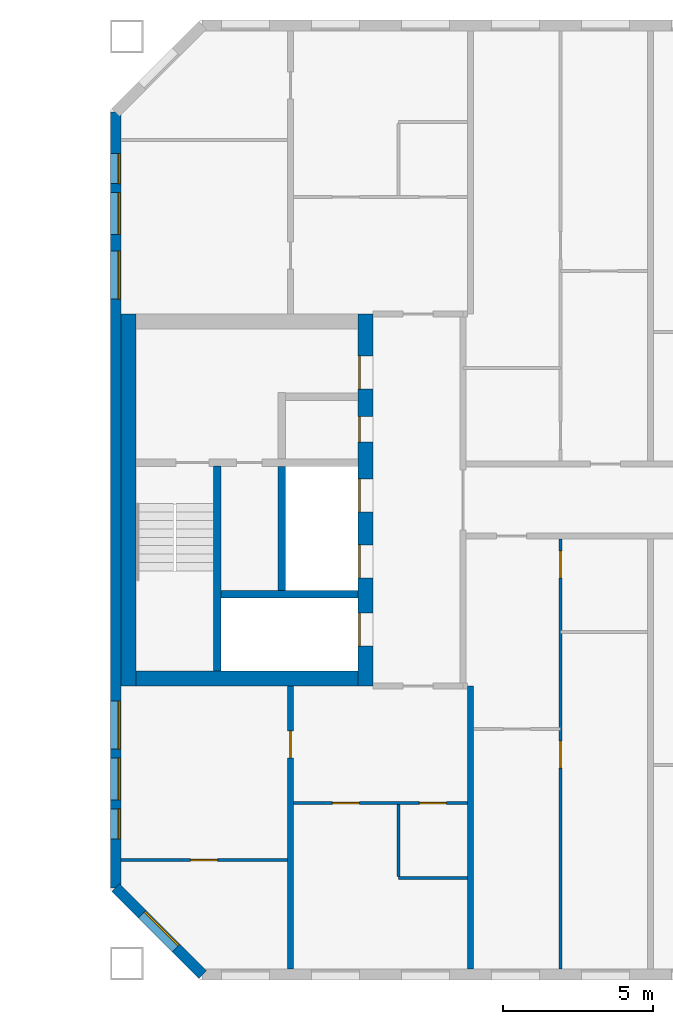
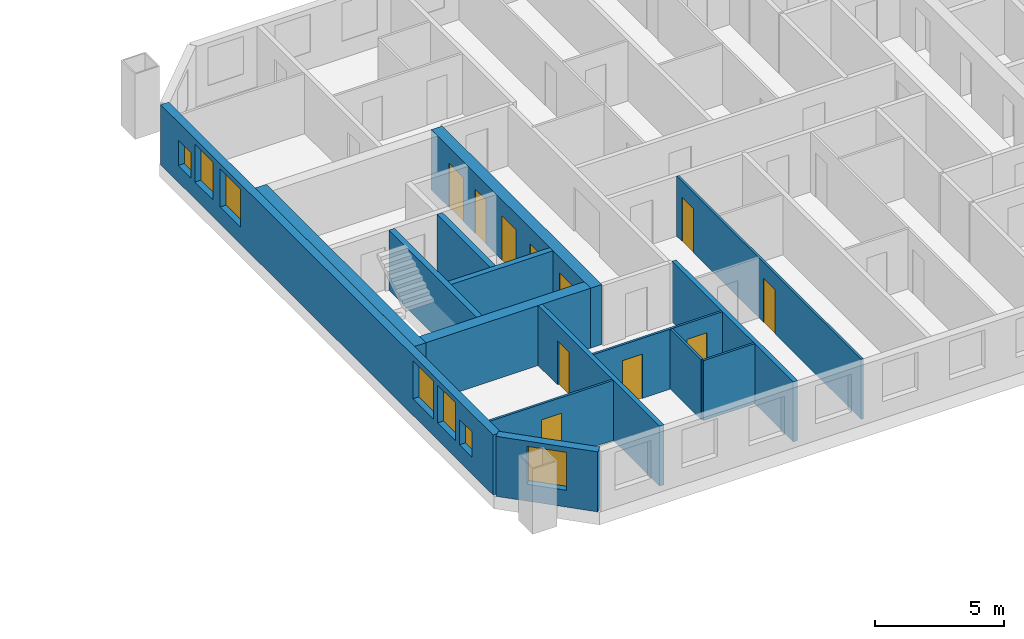
# One storey, part 8 of 15: 15 walls, 11 doors, 7 windows, 18 openings.
"""IFC4 building model written with IfcOpenShell, lengths in metres."""

from ifc_helpers import new_model, si_unit, direction, frame, frame_2d, origin, place, context, subcontext, project, spatial, rectangle, extrude, material, layer, layer_set, type_object, element, fill, save


model = new_model("IFC4")

# Units and contexts
model_context = context("Model", 3, precision=1e-05, world=origin(), true_north=direction((0.0, 1.0)))
body_context = subcontext(model_context, "Body", "Model", "MODEL_VIEW")
ifc_project = project(units=[si_unit("LENGTHUNIT", "METRE"), si_unit("AREAUNIT", "SQUARE_METRE"), si_unit("VOLUMEUNIT", "CUBIC_METRE"), si_unit("PLANEANGLEUNIT", "RADIAN"), si_unit("MASSUNIT", "GRAM", prefix="KILO")], contexts=[model_context])

# Site, building, storey
site_placement = place(None, origin())
site = spatial("IfcSite", under=ifc_project, at=site_placement, CompositionType="ELEMENT")
building_placement = place(site_placement, origin())
building = spatial("IfcBuilding", under=site, at=building_placement, Name="Tuart Gate Housing", CompositionType="ELEMENT")
storey_placement = place(building_placement, frame((0.0, 0.0, 148.5)))
storey = spatial("IfcBuildingStorey", under=building, at=storey_placement, Name="L41", CompositionType="ELEMENT", Elevation=148.5)

# Wall, opening, window
ifc_material_1 = material(Name="Brick", Category="masonry")
ifc_layer_1 = layer(ifc_material_1, 0.360107421875)
ifc_layer_set_1 = layer_set([ifc_layer_1], Name="Brick pier and spandrel wall 360")
wall_type_1 = type_object("IfcWallType", Name="Brick pier and spandrel wall 360", PredefinedType="STANDARD", material=ifc_layer_set_1)
wall_1_placement = place(storey_placement, frame((131.179931640625, 57.07470703125, 0.0), z_axis=(0.0, 0.0, 1.0), x_axis=(0.707106781187, -0.707106781187, 0.0)))
wall_1 = element("IfcWall", 1, at=wall_1_placement, inside=storey, type_object=wall_type_1, Name="External wall B-SW L41", PredefinedType="STANDARD", context=body_context, shape_type="SweptSolid", body=[
    extrude(rectangle(XDim=4.09375, YDim=0.360107421875, at=frame_2d((2.046875, 0.0))), origin(), (0.0, 0.0, 1.0), 2.85009765625),
])
opening_1_placement = place(wall_1_placement, frame((1.2470703125, 0.0, 0.800048828125)))
opening_1 = element("IfcOpeningElement", 2, at=opening_1_placement, cuts=wall_1, Name="Opening W1", PredefinedType="OPENING", context=body_context, shape_type="SweptSolid", body=[
    extrude(rectangle(XDim=1.60009765625, YDim=1.800048828125, at=frame_2d((0.800048828125, 0.89990234375))), frame((0.0, 0.18994140625, 0.0), z_axis=(0.0, -1.0, 0.0), x_axis=(1.0, 0.0, 0.0)), (0.0, 0.0, 1.0), 0.380126953125),
])
ifc_material_2 = material(Name="Aluminium frame with clear glass", Category="aluminium")
window_type_1 = type_object("IfcWindowType", Name="Punched window 1600 x 1800", PartitioningType="SINGLE_PANEL", PredefinedType="WINDOW", material=ifc_material_2)
window_1_placement = place(opening_1_placement, origin())
window_1 = element("IfcWindow", 3, at=window_1_placement, inside=storey, type_object=window_type_1, Name="Window W1", OverallHeight=1.800048828125, OverallWidth=1.60009765625, PartitioningType="SINGLE_PANEL", PredefinedType="WINDOW", context=body_context, shape_type="SweptSolid", body=[
    extrude(rectangle(XDim=1.60009765625, YDim=1.800048828125, at=frame_2d((0.800048828125, 0.89990234375))), frame((0.0, 0.150146484375, 0.0), z_axis=(0.0, -1.0, 0.0), x_axis=(1.0, 0.0, 0.0)), (0.0, 0.0, 1.0), 0.06005859375),
])
fill(opening_1, window_1)

# Wall, openings, windows
wall_2_placement = place(storey_placement, frame((131.179931640625, 82.92529296875, 0.0), z_axis=(0.0, 0.0, 1.0), x_axis=(0.0, -1.0, 0.0)))
wall_2 = element("IfcWall", 4, at=wall_2_placement, inside=storey, type_object=wall_type_1, Name="External wall B-W L41", PredefinedType="STANDARD", context=body_context, shape_type="SweptSolid", body=[
    extrude(rectangle(XDim=25.850830078125, YDim=0.360107421875, at=frame_2d((12.92529296875, 0.0))), origin(), (0.0, 0.0, 1.0), 2.85009765625),
])
opening_2_placement = place(wall_2_placement, frame((1.37548828125, 0.0, 0.800048828125)))
opening_2 = element("IfcOpeningElement", 5, at=opening_2_placement, cuts=wall_2, Name="Opening W1O", PredefinedType="OPENING", context=body_context, shape_type="SweptSolid", body=[
    extrude(rectangle(XDim=1.0, YDim=1.199951171875, at=frame_2d((0.5, 0.60009765625))), frame((0.0, 0.18994140625, 0.0), z_axis=(0.0, -1.0, 0.0), x_axis=(1.0, 0.0, 0.0)), (0.0, 0.0, 1.0), 0.380126953125),
])
opening_3_placement = place(wall_2_placement, frame((4.62548828125, 0.0, 0.800048828125)))
opening_3 = element("IfcOpeningElement", 6, at=opening_3_placement, cuts=wall_2, Name="Opening W1", PredefinedType="OPENING", context=body_context, shape_type="SweptSolid", body=[
    extrude(rectangle(XDim=1.60009765625, YDim=1.800048828125, at=frame_2d((0.800048828125, 0.89990234375))), frame((0.0, 0.18994140625, 0.0), z_axis=(0.0, -1.0, 0.0), x_axis=(1.0, 0.0, 0.0)), (0.0, 0.0, 1.0), 0.380126953125),
])
opening_4_placement = place(wall_2_placement, frame((19.62548828125, 0.0, 0.800048828125)))
opening_4 = element("IfcOpeningElement", 7, at=opening_4_placement, cuts=wall_2, Name="Opening W1", PredefinedType="OPENING", context=body_context, shape_type="SweptSolid", body=[
    extrude(rectangle(XDim=1.60009765625, YDim=1.800048828125, at=frame_2d((0.800048828125, 0.89990234375))), frame((0.0, 0.18994140625, 0.0), z_axis=(0.0, -1.0, 0.0), x_axis=(1.0, 0.0, 0.0)), (0.0, 0.0, 1.0), 0.380126953125),
])
opening_5_placement = place(wall_2_placement, frame((21.525390625, 0.0, 0.800048828125)))
opening_5 = element("IfcOpeningElement", 8, at=opening_5_placement, cuts=wall_2, Name="Opening W1A", PredefinedType="OPENING", context=body_context, shape_type="SweptSolid", body=[
    extrude(rectangle(XDim=1.39990234375, YDim=1.800048828125, at=frame_2d((0.699951171875, 0.89990234375))), frame((0.0, 0.18994140625, 0.0), z_axis=(0.0, -1.0, 0.0), x_axis=(1.0, 0.0, 0.0)), (0.0, 0.0, 1.0), 0.380126953125),
])
opening_6_placement = place(wall_2_placement, frame((2.67529296875, 0.0, 0.800048828125)))
opening_6 = element("IfcOpeningElement", 9, at=opening_6_placement, cuts=wall_2, Name="Opening W1A", PredefinedType="OPENING", context=body_context, shape_type="SweptSolid", body=[
    extrude(rectangle(XDim=1.39990234375, YDim=1.800048828125, at=frame_2d((0.699951171875, 0.89990234375))), frame((0.0, 0.18994140625, 0.0), z_axis=(0.0, -1.0, 0.0), x_axis=(1.0, 0.0, 0.0)), (0.0, 0.0, 1.0), 0.380126953125),
])
opening_7_placement = place(wall_2_placement, frame((23.225341796875, 0.0, 0.800048828125)))
opening_7 = element("IfcOpeningElement", 10, at=opening_7_placement, cuts=wall_2, Name="Opening W1O", PredefinedType="OPENING", context=body_context, shape_type="SweptSolid", body=[
    extrude(rectangle(XDim=1.0, YDim=1.199951171875, at=frame_2d((0.5, 0.60009765625))), frame((0.0, 0.18994140625, 0.0), z_axis=(0.0, -1.0, 0.0), x_axis=(1.0, 0.0, 0.0)), (0.0, 0.0, 1.0), 0.380126953125),
])
ifc_material_3 = material(Name="Aluminium frame with clear glass", Category="aluminium")
window_type_2 = type_object("IfcWindowType", Name="Punched window 1000 x 1200", PartitioningType="SINGLE_PANEL", PredefinedType="WINDOW", material=ifc_material_3)
window_2_placement = place(opening_2_placement, origin())
window_2 = element("IfcWindow", 11, at=window_2_placement, inside=storey, type_object=window_type_2, Name="Window W1O", OverallHeight=1.199951171875, OverallWidth=1.0, PartitioningType="SINGLE_PANEL", PredefinedType="WINDOW", context=body_context, shape_type="SweptSolid", body=[
    extrude(rectangle(XDim=1.0, YDim=1.199951171875, at=frame_2d((0.5, 0.60009765625))), frame((0.0, 0.150146484375, 0.0), z_axis=(0.0, -1.0, 0.0), x_axis=(1.0, 0.0, 0.0)), (0.0, 0.0, 1.0), 0.06005859375),
])
fill(opening_2, window_2)
window_3_placement = place(opening_7_placement, origin())
window_3 = element("IfcWindow", 12, at=window_3_placement, inside=storey, type_object=window_type_2, Name="Window W1O", OverallHeight=1.199951171875, OverallWidth=1.0, PartitioningType="SINGLE_PANEL", PredefinedType="WINDOW", context=body_context, shape_type="SweptSolid", body=[
    extrude(rectangle(XDim=1.0, YDim=1.199951171875, at=frame_2d((0.5, 0.60009765625))), frame((0.0, 0.150146484375, 0.0), z_axis=(0.0, -1.0, 0.0), x_axis=(1.0, 0.0, 0.0)), (0.0, 0.0, 1.0), 0.06005859375),
])
fill(opening_7, window_3)
ifc_material_4 = material(Name="Aluminium frame with clear glass", Category="aluminium")
window_type_3 = type_object("IfcWindowType", Name="Punched window 1400 x 1800", PartitioningType="SINGLE_PANEL", PredefinedType="WINDOW", material=ifc_material_4)
window_4_placement = place(opening_5_placement, origin())
window_4 = element("IfcWindow", 13, at=window_4_placement, inside=storey, type_object=window_type_3, Name="Window W1A", OverallHeight=1.800048828125, OverallWidth=1.39990234375, PartitioningType="SINGLE_PANEL", PredefinedType="WINDOW", context=body_context, shape_type="SweptSolid", body=[
    extrude(rectangle(XDim=1.39990234375, YDim=1.800048828125, at=frame_2d((0.699951171875, 0.89990234375))), frame((0.0, 0.150146484375, 0.0), z_axis=(0.0, -1.0, 0.0), x_axis=(1.0, 0.0, 0.0)), (0.0, 0.0, 1.0), 0.06005859375),
])
fill(opening_5, window_4)
window_5_placement = place(opening_6_placement, origin())
window_5 = element("IfcWindow", 14, at=window_5_placement, inside=storey, type_object=window_type_3, Name="Window W1A", OverallHeight=1.800048828125, OverallWidth=1.39990234375, PartitioningType="SINGLE_PANEL", PredefinedType="WINDOW", context=body_context, shape_type="SweptSolid", body=[
    extrude(rectangle(XDim=1.39990234375, YDim=1.800048828125, at=frame_2d((0.699951171875, 0.89990234375))), frame((0.0, 0.150146484375, 0.0), z_axis=(0.0, -1.0, 0.0), x_axis=(1.0, 0.0, 0.0)), (0.0, 0.0, 1.0), 0.06005859375),
])
fill(opening_6, window_5)
window_6_placement = place(opening_3_placement, origin())
window_6 = element("IfcWindow", 15, at=window_6_placement, inside=storey, type_object=window_type_1, Name="Window W1", OverallHeight=1.800048828125, OverallWidth=1.60009765625, PartitioningType="SINGLE_PANEL", PredefinedType="WINDOW", context=body_context, shape_type="SweptSolid", body=[
    extrude(rectangle(XDim=1.60009765625, YDim=1.800048828125, at=frame_2d((0.800048828125, 0.89990234375))), frame((0.0, 0.150146484375, 0.0), z_axis=(0.0, -1.0, 0.0), x_axis=(1.0, 0.0, 0.0)), (0.0, 0.0, 1.0), 0.06005859375),
])
fill(opening_3, window_6)
window_7_placement = place(opening_4_placement, origin())
window_7 = element("IfcWindow", 16, at=window_7_placement, inside=storey, type_object=window_type_1, Name="Window W1", OverallHeight=1.800048828125, OverallWidth=1.60009765625, PartitioningType="SINGLE_PANEL", PredefinedType="WINDOW", context=body_context, shape_type="SweptSolid", body=[
    extrude(rectangle(XDim=1.60009765625, YDim=1.800048828125, at=frame_2d((0.800048828125, 0.89990234375))), frame((0.0, 0.150146484375, 0.0), z_axis=(0.0, -1.0, 0.0), x_axis=(1.0, 0.0, 0.0)), (0.0, 0.0, 1.0), 0.06005859375),
])
fill(opening_4, window_7)

# Walls
ifc_material_5 = material(Name="Concrete C40", Category="concrete")
ifc_layer_2 = layer(ifc_material_5, 0.25)
ifc_layer_set_2 = layer_set([ifc_layer_2], Name="Core wall 250 C40")
wall_type_2 = type_object("IfcWallType", Name="Core wall 250 C40", PredefinedType="SHEAR", material=ifc_layer_set_2)
wall_3_placement = place(storey_placement, frame((139.260009765625, 66.85009765625, 0.0), z_axis=(0.0, 0.0, 1.0), x_axis=(-1.0, 0.0, 0.0)))
element("IfcWall", 17, at=wall_3_placement, inside=storey, type_object=wall_type_2, Name="Core wall BG.1", PredefinedType="SHEAR", context=body_context, shape_type="SweptSolid", body=[
    extrude(rectangle(XDim=4.574951171875, YDim=0.25, at=frame_2d((2.28759765625, 0.0))), origin(), (0.0, 0.0, 1.0), 2.85009765625),
])
wall_4_placement = place(storey_placement, frame((136.7099609375, 66.97509765625, 0.0), z_axis=(0.0, 0.0, 1.0), x_axis=(0.0, 1.0, 0.0)))
element("IfcWall", 18, at=wall_4_placement, inside=storey, type_object=wall_type_2, Name="Core wall BG.4", PredefinedType="SHEAR", context=body_context, shape_type="SweptSolid", body=[
    extrude(rectangle(XDim=4.14990234375, YDim=0.25, at=frame_2d((2.074951171875, 0.0))), origin(), (0.0, 0.0, 1.0), 2.85009765625),
])
wall_5_placement = place(storey_placement, frame((134.56005859375, 64.300048828125, 0.0), z_axis=(0.0, 0.0, 1.0), x_axis=(0.0, 1.0, 0.0)))
element("IfcWall", 19, at=wall_5_placement, inside=storey, type_object=wall_type_2, Name="Core wall BG.6", PredefinedType="SHEAR", context=body_context, shape_type="SweptSolid", body=[
    extrude(rectangle(XDim=6.824951171875, YDim=0.25, at=frame_2d((3.41259765625, 0.0))), origin(), (0.0, 0.0, 1.0), 2.85009765625),
])

# Wall, openings, doors
ifc_material_6 = material(Name="Concrete C40", Category="concrete")
ifc_layer_3 = layer(ifc_material_6, 0.5)
ifc_layer_set_3 = layer_set([ifc_layer_3], Name="Core wall 500 C40")
wall_type_3 = type_object("IfcWallType", Name="Core wall 500 C40", PredefinedType="SHEAR", material=ifc_layer_set_3)
wall_6_placement = place(storey_placement, frame((139.510009765625, 63.800048828125, 0.0), z_axis=(0.0, 0.0, 1.0), x_axis=(0.0, 1.0, 0.0)))
wall_6 = element("IfcWall", 20, at=wall_6_placement, inside=storey, type_object=wall_type_3, Name="Core wall BG front", PredefinedType="SHEAR", context=body_context, shape_type="SweptSolid", body=[
    extrude(rectangle(XDim=12.39990234375, YDim=0.5, at=frame_2d((6.199951171875, 0.0))), origin(), (0.0, 0.0, 1.0), 2.85009765625),
])
opening_8_placement = place(wall_6_placement, frame((1.324951171875, 0.0, 0.0)))
opening_8 = element("IfcOpeningElement", 21, at=opening_8_placement, cuts=wall_6, Name="Opening LD-FB1", PredefinedType="OPENING", context=body_context, shape_type="SweptSolid", body=[
    extrude(rectangle(XDim=1.10009765625, YDim=2.10009765625, at=frame_2d((0.550048828125, 1.050048828125))), frame((0.0, 0.260009765625, 0.0), z_axis=(0.0, -1.0, 0.0), x_axis=(1.0, 0.0, 0.0)), (0.0, 0.0, 1.0), 0.52001953125),
])
opening_9_placement = place(wall_6_placement, frame((3.60009765625, 0.0, 0.0)))
opening_9 = element("IfcOpeningElement", 22, at=opening_9_placement, cuts=wall_6, Name="Opening LD-LB1", PredefinedType="OPENING", context=body_context, shape_type="SweptSolid", body=[
    extrude(rectangle(XDim=1.10009765625, YDim=2.10009765625, at=frame_2d((0.550048828125, 1.050048828125))), frame((0.0, 0.260009765625, 0.0), z_axis=(0.0, -1.0, 0.0), x_axis=(1.0, 0.0, 0.0)), (0.0, 0.0, 1.0), 0.52001953125),
])
opening_10_placement = place(wall_6_placement, frame((5.800048828125, 0.0, 0.0)))
opening_10 = element("IfcOpeningElement", 23, at=opening_10_placement, cuts=wall_6, Name="Opening LD-LB2", PredefinedType="OPENING", context=body_context, shape_type="SweptSolid", body=[
    extrude(rectangle(XDim=1.10009765625, YDim=2.10009765625, at=frame_2d((0.550048828125, 1.050048828125))), frame((0.0, 0.260009765625, 0.0), z_axis=(0.0, -1.0, 0.0), x_axis=(1.0, 0.0, 0.0)), (0.0, 0.0, 1.0), 0.52001953125),
])
opening_11_placement = place(wall_6_placement, frame((9.89990234375, 0.0, 0.0)))
opening_11 = element("IfcOpeningElement", 24, at=opening_11_placement, cuts=wall_6, Name="Opening D1594", PredefinedType="OPENING", context=body_context, shape_type="SweptSolid", body=[
    extrude(rectangle(XDim=1.10009765625, YDim=2.10009765625, at=frame_2d((0.550048828125, 1.050048828125))), frame((0.0, 0.260009765625, 0.0), z_axis=(0.0, -1.0, 0.0), x_axis=(1.0, 0.0, 0.0)), (0.0, 0.0, 1.0), 0.52001953125),
])
opening_12_placement = place(wall_6_placement, frame((8.125, 0.0, 0.0)))
opening_12 = element("IfcOpeningElement", 25, at=opening_12_placement, cuts=wall_6, Name="Opening D1595", PredefinedType="OPENING", context=body_context, shape_type="SweptSolid", body=[
    extrude(rectangle(XDim=0.85009765625, YDim=2.10009765625, at=frame_2d((0.425048828125, 1.050048828125))), frame((0.0, 0.260009765625, 0.0), z_axis=(0.0, -1.0, 0.0), x_axis=(1.0, 0.0, 0.0)), (0.0, 0.0, 1.0), 0.52001953125),
])
ifc_material_7 = material(Name="Stainless steel", Category="steel")
door_type_1 = type_object("IfcDoorType", Name="Landing door 1100 x 2100", OperationType="DOUBLE_DOOR_SLIDING", PredefinedType="DOOR", material=ifc_material_7)
door_1_placement = place(opening_8_placement, origin())
door_1 = element("IfcDoor", 26, at=door_1_placement, inside=storey, type_object=door_type_1, Name="Lift landing door FB1", OperationType="DOUBLE_DOOR_SLIDING", OverallHeight=2.10009765625, OverallWidth=1.10009765625, PredefinedType="DOOR", context=body_context, shape_type="SweptSolid", body=[
    extrude(rectangle(XDim=1.10009765625, YDim=2.10009765625, at=frame_2d((0.550048828125, 1.050048828125))), frame((0.0, 0.23486328125, 0.0), z_axis=(0.0, -1.0, 0.0), x_axis=(1.0, 0.0, 0.0)), (0.0, 0.0, 1.0), 0.050048828125),
])
fill(opening_8, door_1)
door_2_placement = place(opening_9_placement, origin())
door_2 = element("IfcDoor", 27, at=door_2_placement, inside=storey, type_object=door_type_1, Name="Lift landing door LB1", OperationType="DOUBLE_DOOR_SLIDING", OverallHeight=2.10009765625, OverallWidth=1.10009765625, PredefinedType="DOOR", context=body_context, shape_type="SweptSolid", body=[
    extrude(rectangle(XDim=1.10009765625, YDim=2.10009765625, at=frame_2d((0.550048828125, 1.050048828125))), frame((0.0, 0.23486328125, 0.0), z_axis=(0.0, -1.0, 0.0), x_axis=(1.0, 0.0, 0.0)), (0.0, 0.0, 1.0), 0.050048828125),
])
fill(opening_9, door_2)
door_3_placement = place(opening_10_placement, origin())
door_3 = element("IfcDoor", 28, at=door_3_placement, inside=storey, type_object=door_type_1, Name="Lift landing door LB2", OperationType="DOUBLE_DOOR_SLIDING", OverallHeight=2.10009765625, OverallWidth=1.10009765625, PredefinedType="DOOR", context=body_context, shape_type="SweptSolid", body=[
    extrude(rectangle(XDim=1.10009765625, YDim=2.10009765625, at=frame_2d((0.550048828125, 1.050048828125))), frame((0.0, 0.23486328125, 0.0), z_axis=(0.0, -1.0, 0.0), x_axis=(1.0, 0.0, 0.0)), (0.0, 0.0, 1.0), 0.050048828125),
])
fill(opening_10, door_3)
ifc_material_8 = material(Name="Steel fire door", Category="steel")
door_type_2 = type_object("IfcDoorType", Name="Lobby door 1100 x 2100", OperationType="SINGLE_SWING_LEFT", PredefinedType="DOOR", material=ifc_material_8)
door_4_placement = place(opening_11_placement, origin())
door_4 = element("IfcDoor", 29, at=door_4_placement, inside=storey, type_object=door_type_2, Name="Lobby entry door BG.EN", OperationType="SINGLE_SWING_LEFT", OverallHeight=2.10009765625, OverallWidth=1.10009765625, PredefinedType="DOOR", context=body_context, shape_type="SweptSolid", body=[
    extrude(rectangle(XDim=1.10009765625, YDim=2.10009765625, at=frame_2d((0.550048828125, 1.050048828125))), frame((0.0, 0.23486328125, 0.0), z_axis=(0.0, -1.0, 0.0), x_axis=(1.0, 0.0, 0.0)), (0.0, 0.0, 1.0), 0.050048828125),
])
fill(opening_11, door_4)
ifc_material_9 = material(Name="Steel fire door", Category="steel")
door_type_3 = type_object("IfcDoorType", Name="Service door 850 x 2100", OperationType="SINGLE_SWING_LEFT", PredefinedType="DOOR", material=ifc_material_9)
door_5_placement = place(opening_12_placement, origin())
door_5 = element("IfcDoor", 30, at=door_5_placement, inside=storey, type_object=door_type_3, Name="Service room door BG.T1", OperationType="SINGLE_SWING_LEFT", OverallHeight=2.10009765625, OverallWidth=0.85009765625, PredefinedType="DOOR", context=body_context, shape_type="SweptSolid", body=[
    extrude(rectangle(XDim=0.85009765625, YDim=2.10009765625, at=frame_2d((0.425048828125, 1.050048828125))), frame((0.0, 0.23486328125, 0.0), z_axis=(0.0, -1.0, 0.0), x_axis=(1.0, 0.0, 0.0)), (0.0, 0.0, 1.0), 0.050048828125),
])
fill(opening_12, door_5)

# Walls
wall_7_placement = place(storey_placement, frame((131.610107421875, 63.800048828125, 0.0), z_axis=(0.0, 0.0, 1.0), x_axis=(0.0, 1.0, 0.0)))
element("IfcWall", 31, at=wall_7_placement, inside=storey, type_object=wall_type_3, Name="Core wall BG back", PredefinedType="SHEAR", context=body_context, shape_type="SweptSolid", body=[
    extrude(rectangle(XDim=12.39990234375, YDim=0.5, at=frame_2d((6.199951171875, 0.0))), origin(), (0.0, 0.0, 1.0), 2.85009765625),
])
wall_8_placement = place(storey_placement, frame((139.260009765625, 64.050048828125, 0.0), z_axis=(0.0, 0.0, 1.0), x_axis=(-1.0, 0.0, 0.0)))
element("IfcWall", 32, at=wall_8_placement, inside=storey, type_object=wall_type_3, Name="Core wall BG south", PredefinedType="SHEAR", context=body_context, shape_type="SweptSolid", body=[
    extrude(rectangle(XDim=7.39990234375, YDim=0.5, at=frame_2d((3.699951171875, 0.0))), origin(), (0.0, 0.0, 1.0), 2.85009765625),
])
ifc_material_10 = material(Name="Gypsum board on steel studs", Category="steel")
ifc_layer_4 = layer(ifc_material_10, 0.10009765625)
ifc_layer_set_4 = layer_set([ifc_layer_4], Name="Partition 100")
wall_type_4 = type_object("IfcWallType", Name="Partition 100", PredefinedType="PARTITIONING", material=ifc_layer_set_4)
wall_9_placement = place(storey_placement, frame((140.60009765625, 57.39990234375, 0.0), z_axis=(0.0, 0.0, 1.0), x_axis=(1.0, 0.0, 0.0)))
element("IfcWall", 33, at=wall_9_placement, inside=storey, type_object=wall_type_4, Name="Partition 100", PredefinedType="PARTITIONING", context=body_context, shape_type="SweptSolid", body=[
    extrude(rectangle(XDim=2.2998046875, YDim=0.10009765625, at=frame_2d((1.14990234375, 0.0))), origin(), (0.0, 0.0, 1.0), 2.85009765625),
])

# Wall, opening, door
wall_10_placement = place(storey_placement, frame((131.360107421875, 58.0, 0.0), z_axis=(0.0, 0.0, 1.0), x_axis=(1.0, 0.0, 0.0)))
wall_10 = element("IfcWall", 34, at=wall_10_placement, inside=storey, type_object=wall_type_4, Name="Partition 100", PredefinedType="PARTITIONING", context=body_context, shape_type="SweptSolid", body=[
    extrude(rectangle(XDim=5.539794921875, YDim=0.10009765625, at=frame_2d((2.77001953125, 0.0))), origin(), (0.0, 0.0, 1.0), 2.85009765625),
])
opening_13_placement = place(wall_10_placement, frame((2.320068359375, 0.0, 0.0)))
opening_13 = element("IfcOpeningElement", 35, at=opening_13_placement, cuts=wall_10, Name="Opening D1620", PredefinedType="OPENING", context=body_context, shape_type="SweptSolid", body=[
    extrude(rectangle(XDim=0.89990234375, YDim=2.10009765625, at=frame_2d((0.449951171875, 1.050048828125))), frame((0.0, 0.06005859375, 0.0), z_axis=(0.0, -1.0, 0.0), x_axis=(1.0, 0.0, 0.0)), (0.0, 0.0, 1.0), 0.1201171875),
])
ifc_material_11 = material(Name="Timber door leaf in steel frame", Category="steel")
door_type_4 = type_object("IfcDoorType", Name="Internal door 900 RH", OperationType="SINGLE_SWING_RIGHT", PredefinedType="DOOR", material=ifc_material_11)
door_6_placement = place(opening_13_placement, frame((0.89990234375, 0.0, 0.0), z_axis=(0.0, 0.0, 1.0), x_axis=(-1.0, 0.0, 0.0)))
door_6 = element("IfcDoor", 36, at=door_6_placement, inside=storey, type_object=door_type_4, Name="Internal door", OperationType="SINGLE_SWING_RIGHT", OverallHeight=2.10009765625, OverallWidth=0.89990234375, PredefinedType="DOOR", context=body_context, shape_type="SweptSolid", body=[
    extrude(rectangle(XDim=0.89990234375, YDim=2.10009765625, at=frame_2d((0.449951171875, 1.050048828125))), frame((0.0, 0.025146484375, 0.0), z_axis=(0.0, -1.0, 0.0), x_axis=(1.0, 0.0, 0.0)), (0.0, 0.0, 1.0), 0.050048828125),
])
fill(opening_13, door_6)

# Wall, openings, doors
wall_11_placement = place(storey_placement, frame((137.10009765625, 59.89990234375, 0.0), z_axis=(0.0, 0.0, 1.0), x_axis=(1.0, 0.0, 0.0)))
wall_11 = element("IfcWall", 37, at=wall_11_placement, inside=storey, type_object=wall_type_4, Name="Partition 100", PredefinedType="PARTITIONING", context=body_context, shape_type="SweptSolid", body=[
    extrude(rectangle(XDim=5.7998046875, YDim=0.10009765625, at=frame_2d((2.89990234375, 0.0))), origin(), (0.0, 0.0, 1.0), 2.85009765625),
])
opening_14_placement = place(wall_11_placement, frame((1.300048828125, 0.0, 0.0)))
opening_14 = element("IfcOpeningElement", 38, at=opening_14_placement, cuts=wall_11, Name="Opening D1617", PredefinedType="OPENING", context=body_context, shape_type="SweptSolid", body=[
    extrude(rectangle(XDim=0.89990234375, YDim=2.10009765625, at=frame_2d((0.449951171875, 1.050048828125))), frame((0.0, 0.06005859375, 0.0), z_axis=(0.0, -1.0, 0.0), x_axis=(1.0, 0.0, 0.0)), (0.0, 0.0, 1.0), 0.1201171875),
])
opening_15_placement = place(wall_11_placement, frame((4.199951171875, 0.0, 0.0)))
opening_15 = element("IfcOpeningElement", 39, at=opening_15_placement, cuts=wall_11, Name="Opening D1616", PredefinedType="OPENING", context=body_context, shape_type="SweptSolid", body=[
    extrude(rectangle(XDim=0.89990234375, YDim=2.10009765625, at=frame_2d((0.449951171875, 1.050048828125))), frame((0.0, 0.06005859375, 0.0), z_axis=(0.0, -1.0, 0.0), x_axis=(1.0, 0.0, 0.0)), (0.0, 0.0, 1.0), 0.1201171875),
])
ifc_material_12 = material(Name="Timber door leaf in steel frame", Category="steel")
door_type_5 = type_object("IfcDoorType", Name="Bathroom door 900 RH", OperationType="SINGLE_SWING_RIGHT", PredefinedType="DOOR", material=ifc_material_12)
door_7_placement = place(opening_15_placement, frame((0.89990234375, 0.0, 0.0), z_axis=(0.0, 0.0, 1.0), x_axis=(-1.0, 0.0, 0.0)))
door_7 = element("IfcDoor", 40, at=door_7_placement, inside=storey, type_object=door_type_5, Name="Bathroom door", OperationType="SINGLE_SWING_RIGHT", OverallHeight=2.10009765625, OverallWidth=0.89990234375, PredefinedType="DOOR", context=body_context, shape_type="SweptSolid", body=[
    extrude(rectangle(XDim=0.89990234375, YDim=2.10009765625, at=frame_2d((0.449951171875, 1.050048828125))), frame((0.0, 0.025146484375, 0.0), z_axis=(0.0, -1.0, 0.0), x_axis=(1.0, 0.0, 0.0)), (0.0, 0.0, 1.0), 0.050048828125),
])
fill(opening_15, door_7)
ifc_material_13 = material(Name="Timber door leaf in steel frame", Category="steel")
door_type_6 = type_object("IfcDoorType", Name="Internal door 900", OperationType="SINGLE_SWING_LEFT", PredefinedType="DOOR", material=ifc_material_13)
door_8_placement = place(opening_14_placement, frame((0.89990234375, 0.0, 0.0), z_axis=(0.0, 0.0, 1.0), x_axis=(-1.0, 0.0, 0.0)))
door_8 = element("IfcDoor", 41, at=door_8_placement, inside=storey, type_object=door_type_6, Name="Internal door", OperationType="SINGLE_SWING_LEFT", OverallHeight=2.10009765625, OverallWidth=0.89990234375, PredefinedType="DOOR", context=body_context, shape_type="SweptSolid", body=[
    extrude(rectangle(XDim=0.89990234375, YDim=2.10009765625, at=frame_2d((0.449951171875, 1.050048828125))), frame((0.0, 0.025146484375, 0.0), z_axis=(0.0, -1.0, 0.0), x_axis=(1.0, 0.0, 0.0)), (0.0, 0.0, 1.0), 0.050048828125),
])
fill(opening_14, door_8)

# Wall
wall_12_placement = place(storey_placement, frame((140.60009765625, 57.449951171875, 0.0), z_axis=(0.0, 0.0, 1.0), x_axis=(0.0, 1.0, 0.0)))
element("IfcWall", 42, at=wall_12_placement, inside=storey, type_object=wall_type_4, Name="Partition 100", PredefinedType="PARTITIONING", context=body_context, shape_type="SweptSolid", body=[
    extrude(rectangle(XDim=2.400146484375, YDim=0.10009765625, at=frame_2d((1.2001953125, 0.0))), origin(), (0.0, 0.0, 1.0), 2.85009765625),
])

# Wall, openings, doors
wall_13_placement = place(storey_placement, frame((146.0, 54.360107421875, 0.0), z_axis=(0.0, 0.0, 1.0), x_axis=(0.0, 1.0, 0.0)))
wall_13 = element("IfcWall", 43, at=wall_13_placement, inside=storey, type_object=wall_type_4, Name="Partition 100", PredefinedType="PARTITIONING", context=body_context, shape_type="SweptSolid", body=[
    extrude(rectangle(XDim=14.33984375, YDim=0.10009765625, at=frame_2d((7.169921875, 0.0))), origin(), (0.0, 0.0, 1.0), 2.85009765625),
])
opening_16_placement = place(wall_13_placement, frame((6.699951171875, 0.0, 0.0)))
opening_16 = element("IfcOpeningElement", 44, at=opening_16_placement, cuts=wall_13, Name="Opening D1610", PredefinedType="OPENING", context=body_context, shape_type="SweptSolid", body=[
    extrude(rectangle(XDim=0.89990234375, YDim=2.10009765625, at=frame_2d((0.449951171875, 1.050048828125))), frame((0.0, 0.06005859375, 0.0), z_axis=(0.0, -1.0, 0.0), x_axis=(1.0, 0.0, 0.0)), (0.0, 0.0, 1.0), 0.1201171875),
])
opening_17_placement = place(wall_13_placement, frame((13.0400390625, 0.0, 0.0)))
opening_17 = element("IfcOpeningElement", 45, at=opening_17_placement, cuts=wall_13, Name="Opening D1609", PredefinedType="OPENING", context=body_context, shape_type="SweptSolid", body=[
    extrude(rectangle(XDim=0.89990234375, YDim=2.10009765625, at=frame_2d((0.449951171875, 1.050048828125))), frame((0.0, 0.06005859375, 0.0), z_axis=(0.0, -1.0, 0.0), x_axis=(1.0, 0.0, 0.0)), (0.0, 0.0, 1.0), 0.1201171875),
])
ifc_material_14 = material(Name="Timber door leaf in steel frame", Category="steel")
door_type_7 = type_object("IfcDoorType", Name="Bathroom door 900", OperationType="SINGLE_SWING_LEFT", PredefinedType="DOOR", material=ifc_material_14)
door_9_placement = place(opening_17_placement, frame((0.89990234375, 0.0, 0.0), z_axis=(0.0, 0.0, 1.0), x_axis=(-1.0, 0.0, 0.0)))
door_9 = element("IfcDoor", 46, at=door_9_placement, inside=storey, type_object=door_type_7, Name="Bathroom door", OperationType="SINGLE_SWING_LEFT", OverallHeight=2.10009765625, OverallWidth=0.89990234375, PredefinedType="DOOR", context=body_context, shape_type="SweptSolid", body=[
    extrude(rectangle(XDim=0.89990234375, YDim=2.10009765625, at=frame_2d((0.449951171875, 1.050048828125))), frame((0.0, 0.025146484375, 0.0), z_axis=(0.0, -1.0, 0.0), x_axis=(1.0, 0.0, 0.0)), (0.0, 0.0, 1.0), 0.050048828125),
])
fill(opening_17, door_9)
door_10_placement = place(opening_16_placement, frame((0.89990234375, 0.0, 0.0), z_axis=(0.0, 0.0, 1.0), x_axis=(-1.0, 0.0, 0.0)))
door_10 = element("IfcDoor", 47, at=door_10_placement, inside=storey, type_object=door_type_6, Name="Internal door", OperationType="SINGLE_SWING_LEFT", OverallHeight=2.10009765625, OverallWidth=0.89990234375, PredefinedType="DOOR", context=body_context, shape_type="SweptSolid", body=[
    extrude(rectangle(XDim=0.89990234375, YDim=2.10009765625, at=frame_2d((0.449951171875, 1.050048828125))), frame((0.0, 0.025146484375, 0.0), z_axis=(0.0, -1.0, 0.0), x_axis=(1.0, 0.0, 0.0)), (0.0, 0.0, 1.0), 0.050048828125),
])
fill(opening_16, door_10)

# Wall, opening, door
ifc_material_15 = material(Name="Concrete C40", Category="concrete")
ifc_layer_5 = layer(ifc_material_15, 0.199951171875)
ifc_layer_set_5 = layer_set([ifc_layer_5], Name="Party wall concrete C40 200")
wall_type_5 = type_object("IfcWallType", Name="Party wall concrete C40 200", PredefinedType="SOLIDWALL", material=ifc_layer_set_5)
wall_14_placement = place(storey_placement, frame((137.0, 54.360107421875, 0.0), z_axis=(0.0, 0.0, 1.0), x_axis=(0.0, 1.0, 0.0)))
wall_14 = element("IfcWall", 48, at=wall_14_placement, inside=storey, type_object=wall_type_5, Name="Party wall concrete C40 200", PredefinedType="SOLIDWALL", context=body_context, shape_type="SweptSolid", body=[
    extrude(rectangle(XDim=9.43994140625, YDim=0.199951171875, at=frame_2d((4.719970703125, 0.0))), origin(), (0.0, 0.0, 1.0), 2.85009765625),
])
opening_18_placement = place(wall_14_placement, frame((7.0400390625, 0.0, 0.0)))
opening_18 = element("IfcOpeningElement", 49, at=opening_18_placement, cuts=wall_14, Name="Opening D1619", PredefinedType="OPENING", context=body_context, shape_type="SweptSolid", body=[
    extrude(rectangle(XDim=0.89990234375, YDim=2.10009765625, at=frame_2d((0.449951171875, 1.050048828125))), frame((0.0, 0.10986328125, 0.0), z_axis=(0.0, -1.0, 0.0), x_axis=(1.0, 0.0, 0.0)), (0.0, 0.0, 1.0), 0.219970703125),
])
door_11_placement = place(opening_18_placement, frame((0.89990234375, 0.0, 0.0), z_axis=(0.0, 0.0, 1.0), x_axis=(-1.0, 0.0, 0.0)))
door_11 = element("IfcDoor", 50, at=door_11_placement, inside=storey, type_object=door_type_4, Name="Internal door", OperationType="SINGLE_SWING_RIGHT", OverallHeight=2.10009765625, OverallWidth=0.89990234375, PredefinedType="DOOR", context=body_context, shape_type="SweptSolid", body=[
    extrude(rectangle(XDim=0.89990234375, YDim=2.10009765625, at=frame_2d((0.449951171875, 1.050048828125))), frame((0.0, 0.025146484375, 0.0), z_axis=(0.0, -1.0, 0.0), x_axis=(1.0, 0.0, 0.0)), (0.0, 0.0, 1.0), 0.050048828125),
])
fill(opening_18, door_11)

# Wall
wall_15_placement = place(storey_placement, frame((143.0, 54.360107421875, 0.0), z_axis=(0.0, 0.0, 1.0), x_axis=(0.0, 1.0, 0.0)))
element("IfcWall", 51, at=wall_15_placement, inside=storey, type_object=wall_type_5, Name="Party wall concrete C40 200", PredefinedType="SOLIDWALL", context=body_context, shape_type="SweptSolid", body=[
    extrude(rectangle(XDim=9.43994140625, YDim=0.199951171875, at=frame_2d((4.719970703125, 0.0))), origin(), (0.0, 0.0, 1.0), 2.85009765625),
])

save(model, "model.ifc")
